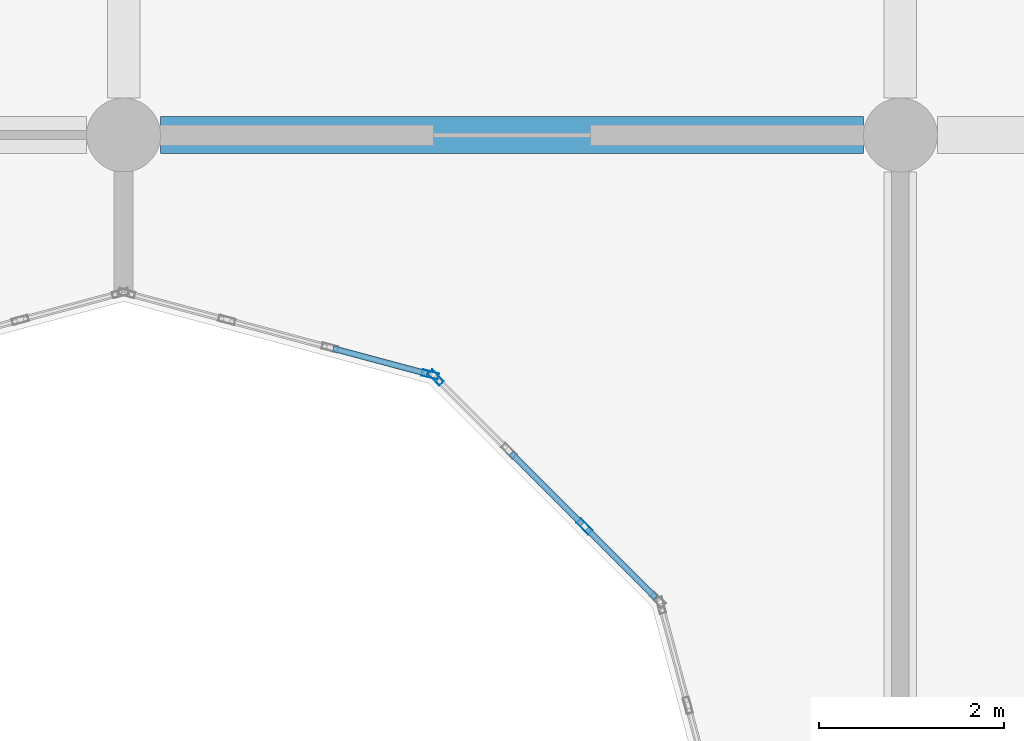
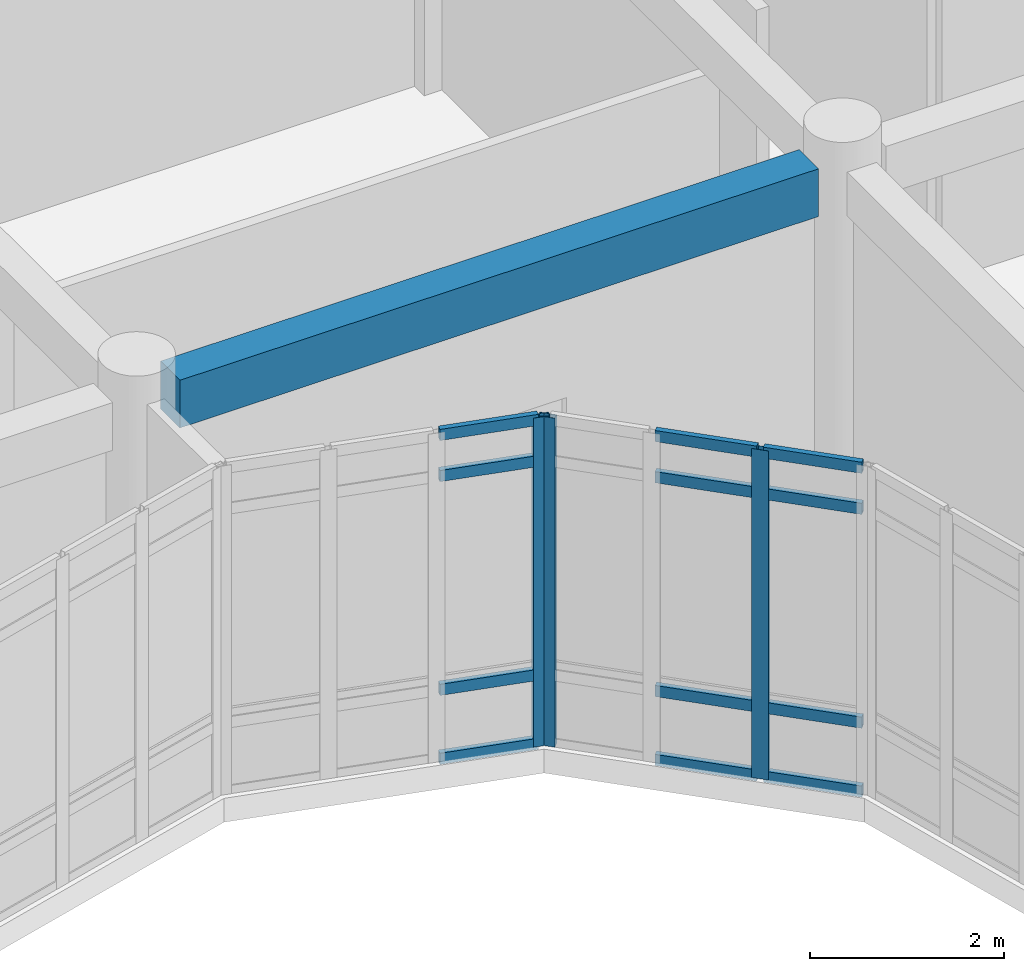
# One storey, part 37 of 144: 15 members, 1 beam, 2 elements without a shape of their own.
"""IFC4 building model written with IfcOpenShell, lengths in metres."""

from ifc_helpers import new_model, si_unit, direction, frame, origin, origin_2d, place, context, subcontext, project, spatial, rectangle, hollow_rectangle, extrude, material, layer, layer_set, material_profile, profile_set, type_object, element, aggregate, save


model = new_model("IFC4")

# Units and contexts
model_context = context("Model", 3, precision=1e-05, world=origin(), true_north=direction((0.0, 1.0)))
body_context = subcontext(model_context, "Body", "Model", "MODEL_VIEW")
ifc_project = project(units=[si_unit("LENGTHUNIT", "METRE"), si_unit("AREAUNIT", "SQUARE_METRE"), si_unit("VOLUMEUNIT", "CUBIC_METRE"), si_unit("PLANEANGLEUNIT", "RADIAN"), si_unit("MASSUNIT", "GRAM", prefix="KILO")], contexts=[model_context])

# Site, building, storey
site_placement = place(None, origin())
site = spatial("IfcSite", under=ifc_project, at=site_placement, CompositionType="ELEMENT")
building_placement = place(site_placement, origin())
building = spatial("IfcBuilding", under=site, at=building_placement, Name="Bramfleet General Hospital", CompositionType="ELEMENT")
storey_placement = place(building_placement, frame((0.0, 0.0, 4.800048828125)))
storey = spatial("IfcBuildingStorey", under=building, at=storey_placement, Name="L01", CompositionType="ELEMENT", Elevation=4.800048828125)

# Beam
ifc_material_1 = material(Name="Concrete C35/45", Category="concrete")
ifc_material_profile_1 = material_profile(ifc_material_1, rectangle(XDim=0.39990234375, YDim=0.60009765625, at=origin_2d()), Name="RC BM 600x400")
ifc_profile_set_1 = profile_set([ifc_material_profile_1], Name="Concrete C35/45")
beam_type = type_object("IfcBeamType", Name="BM-RC600", PredefinedType="BEAM", material=ifc_profile_set_1)
beam_placement = place(storey_placement, frame((25.60009765625, 92.39990234375, 3.849853515625), z_axis=(1.0, 0.0, 0.0), x_axis=(0.0, 1.0, 0.0)))
element("IfcBeam", 1, at=beam_placement, inside=storey, type_object=beam_type, Name="L01 Grid Beam X 03-11", PredefinedType="BEAM", context=body_context, shape_type="SweptSolid", body=[
    extrude(rectangle(XDim=0.39990234375, YDim=0.60009765625, at=origin_2d()), origin(), (0.0, 0.0, 1.0), 7.599853515625),
])

# Curtain wall, members
ifc_material_2 = material(Name="Anodised aluminium and low-E triple glazing", Category="aluminium")
ifc_layer_1 = layer(ifc_material_2, 0.179931640625, Name="CWT-CW-16")
ifc_layer_set_1 = layer_set([ifc_layer_1], Name="Anodised aluminium and low-E triple glazing")
curtain_wall_type_1 = type_object("IfcCurtainWallType", Name="CWT-CW-16", PredefinedType="USERDEFINED", material=ifc_layer_set_1)
curtain_wall_1_placement = place(storey_placement, origin())
curtain_wall_1 = element("IfcCurtainWall", 2, at=curtain_wall_1_placement, inside=storey, type_object=curtain_wall_type_1, Name="L01 West Clinical Light Court Curtain Wall 8.1", ObjectType="Stick curtain wall", PredefinedType="USERDEFINED")
ifc_material_3 = material(Name="Anodised aluminium EN AW-6060", Category="aluminium")
ifc_material_profile_2 = material_profile(ifc_material_3, hollow_rectangle(XDim=0.070068359375, YDim=0.179931640625, WallThickness=0.00390625, at=origin_2d()), Name="ALU 180x70x4.0")
ifc_profile_set_2 = profile_set([ifc_material_profile_2], Name="Anodised aluminium EN AW-6060")
member_type_1 = type_object("IfcMemberType", Name="CWM-ALU180", PredefinedType="MULLION", material=ifc_profile_set_2)
member_1_placement = place(storey_placement, frame((30.1845703125, 88.167236328125, 0.0), z_axis=(0.0, 0.0, 1.0), x_axis=(-0.707106781187, -0.707106781187, 0.0)))
member_1 = element("IfcMember", 3, at=member_1_placement, type_object=member_type_1, Name="CW-16 mullion 2", PredefinedType="MULLION", context=body_context, shape_type="SweptSolid", body=[
    extrude(hollow_rectangle(XDim=0.070068359375, YDim=0.179931640625, WallThickness=0.00390625, at=origin_2d()), origin(), (0.0, 0.0, 1.0), 4.139892578125),
])
member_2_placement = place(storey_placement, frame((28.57470703125, 89.77734375, 0.0), z_axis=(0.0, 0.0, 1.0), x_axis=(-0.707106781187, -0.707106781187, 0.0)))
member_2 = element("IfcMember", 4, at=member_2_placement, type_object=member_type_1, Name="CW-16 mullion 4", PredefinedType="MULLION", context=body_context, shape_type="SweptSolid", body=[
    extrude(hollow_rectangle(XDim=0.070068359375, YDim=0.179931640625, WallThickness=0.00390625, at=origin_2d()), origin(), (0.0, 0.0, 1.0), 4.139892578125),
])

# Curtain wall, member
ifc_layer_2 = layer(ifc_material_2, 0.179931640625, Name="CWT-CW-17")
ifc_layer_set_2 = layer_set([ifc_layer_2], Name="Anodised aluminium and low-E triple glazing")
curtain_wall_type_2 = type_object("IfcCurtainWallType", Name="CWT-CW-17", PredefinedType="USERDEFINED", material=ifc_layer_set_2)
curtain_wall_2_placement = place(storey_placement, origin())
curtain_wall_2 = element("IfcCurtainWall", 5, at=curtain_wall_2_placement, inside=storey, type_object=curtain_wall_type_2, Name="L01 West Clinical Light Court Curtain Wall 9.1", ObjectType="Stick curtain wall", PredefinedType="USERDEFINED")
member_3_placement = place(storey_placement, frame((28.51611328125, 89.81103515625, 0.0), z_axis=(0.0, 0.0, 1.0), x_axis=(-0.25891863407, -0.965899136003, 0.0)))
member_3 = element("IfcMember", 6, at=member_3_placement, type_object=member_type_1, Name="CW-17 mullion 1", PredefinedType="MULLION", context=body_context, shape_type="SweptSolid", body=[
    extrude(hollow_rectangle(XDim=0.070068359375, YDim=0.179931640625, WallThickness=0.00390625, at=origin_2d()), origin(), (0.0, 0.0, 1.0), 4.139892578125),
])

# Member
ifc_material_profile_3 = material_profile(ifc_material_3, hollow_rectangle(XDim=0.06494140625, YDim=0.139892578125, WallThickness=0.00390625, at=origin_2d()), Name="ALU 140x65x4.0")
ifc_profile_set_3 = profile_set([ifc_material_profile_3], Name="Anodised aluminium EN AW-6060")
member_type_2 = type_object("IfcMemberType", Name="CWT-ALU140", PredefinedType="USERDEFINED", material=ifc_profile_set_3)
member_4_placement = place(storey_placement, frame((30.952392578125, 87.3994140625, 0.032470703125), z_axis=(-0.706990604933, 0.707222938356, 0.0), x_axis=(-0.707222938356, -0.706990604933, 0.0)))
member_4 = element("IfcMember", 7, at=member_4_placement, type_object=member_type_2, Name="CW-16 transom 1.1", ObjectType="TRANSOM", PredefinedType="USERDEFINED", context=body_context, shape_type="SweptSolid", body=[
    extrude(hollow_rectangle(XDim=0.06494140625, YDim=0.139892578125, WallThickness=0.00390625, at=origin_2d()), origin(), (0.0, 0.0, 1.0), 1.05078125),
])

member_5_placement = place(storey_placement, frame((30.952392578125, 87.3994140625, 0.89990234375), z_axis=(-0.706990604933, 0.707222938356, 0.0), x_axis=(-0.707222938356, -0.706990604933, 0.0)))
member_5 = element("IfcMember", 8, at=member_5_placement, type_object=member_type_2, Name="CW-16 transom 1.2", ObjectType="TRANSOM", PredefinedType="USERDEFINED", context=body_context, shape_type="SweptSolid", body=[
    extrude(hollow_rectangle(XDim=0.06494140625, YDim=0.139892578125, WallThickness=0.00390625, at=origin_2d()), origin(), (0.0, 0.0, 1.0), 1.05078125),
])

member_6_placement = place(storey_placement, frame((30.952392578125, 87.3994140625, 3.58984375), z_axis=(-0.706990604933, 0.707222938356, 0.0), x_axis=(-0.707222938356, -0.706990604933, 0.0)))
member_6 = element("IfcMember", 9, at=member_6_placement, type_object=member_type_2, Name="CW-16 transom 1.3", ObjectType="TRANSOM", PredefinedType="USERDEFINED", context=body_context, shape_type="SweptSolid", body=[
    extrude(hollow_rectangle(XDim=0.06494140625, YDim=0.139892578125, WallThickness=0.00390625, at=origin_2d()), origin(), (0.0, 0.0, 1.0), 1.05078125),
])

member_7_placement = place(storey_placement, frame((30.952392578125, 87.3994140625, 4.107421875), z_axis=(-0.706990604933, 0.707222938356, 0.0), x_axis=(-0.707222938356, -0.706990604933, 0.0)))
member_7 = element("IfcMember", 10, at=member_7_placement, type_object=member_type_2, Name="CW-16 transom 1.4", ObjectType="TRANSOM", PredefinedType="USERDEFINED", context=body_context, shape_type="SweptSolid", body=[
    extrude(hollow_rectangle(XDim=0.06494140625, YDim=0.139892578125, WallThickness=0.00390625, at=origin_2d()), origin(), (0.0, 0.0, 1.0), 1.05078125),
])

member_8_placement = place(storey_placement, frame((30.159912109375, 88.192138671875, 0.032470703125), z_axis=(-0.707106781187, 0.707106781187, 0.0), x_axis=(-0.707106781187, -0.707106781187, 0.0)))
member_8 = element("IfcMember", 11, at=member_8_placement, type_object=member_type_2, Name="CW-16 transom 2.1", ObjectType="TRANSOM", PredefinedType="USERDEFINED", context=body_context, shape_type="SweptSolid", body=[
    extrude(hollow_rectangle(XDim=0.06494140625, YDim=0.139892578125, WallThickness=0.00390625, at=origin_2d()), origin(), (0.0, 0.0, 1.0), 1.0859375),
])

member_9_placement = place(storey_placement, frame((30.159912109375, 88.192138671875, 0.89990234375), z_axis=(-0.707106781187, 0.707106781187, 0.0), x_axis=(-0.707106781187, -0.707106781187, 0.0)))
member_9 = element("IfcMember", 12, at=member_9_placement, type_object=member_type_2, Name="CW-16 transom 2.2", ObjectType="TRANSOM", PredefinedType="USERDEFINED", context=body_context, shape_type="SweptSolid", body=[
    extrude(hollow_rectangle(XDim=0.06494140625, YDim=0.139892578125, WallThickness=0.00390625, at=origin_2d()), origin(), (0.0, 0.0, 1.0), 1.0859375),
])

member_10_placement = place(storey_placement, frame((30.159912109375, 88.192138671875, 3.58984375), z_axis=(-0.707106781187, 0.707106781187, 0.0), x_axis=(-0.707106781187, -0.707106781187, 0.0)))
member_10 = element("IfcMember", 13, at=member_10_placement, type_object=member_type_2, Name="CW-16 transom 2.3", ObjectType="TRANSOM", PredefinedType="USERDEFINED", context=body_context, shape_type="SweptSolid", body=[
    extrude(hollow_rectangle(XDim=0.06494140625, YDim=0.139892578125, WallThickness=0.00390625, at=origin_2d()), origin(), (0.0, 0.0, 1.0), 1.0859375),
])

member_11_placement = place(storey_placement, frame((30.159912109375, 88.192138671875, 4.107421875), z_axis=(-0.707106781187, 0.707106781187, 0.0), x_axis=(-0.707106781187, -0.707106781187, 0.0)))
member_11 = element("IfcMember", 14, at=member_11_placement, type_object=member_type_2, Name="CW-16 transom 2.4", ObjectType="TRANSOM", PredefinedType="USERDEFINED", context=body_context, shape_type="SweptSolid", body=[
    extrude(hollow_rectangle(XDim=0.06494140625, YDim=0.139892578125, WallThickness=0.00390625, at=origin_2d()), origin(), (0.0, 0.0, 1.0), 1.0859375),
])

aggregate(curtain_wall_1, [member_1, member_2, member_4, member_5, member_6, member_7, member_8, member_9, member_10, member_11])

member_12_placement = place(storey_placement, frame((28.482421875, 89.820068359375, 0.032470703125), z_axis=(-0.965891021523, 0.258948903342, 0.0), x_axis=(-0.258948903342, -0.965891021523, 0.0)))
member_12 = element("IfcMember", 15, at=member_12_placement, type_object=member_type_2, Name="CW-17 transom 1.1", ObjectType="TRANSOM", PredefinedType="USERDEFINED", context=body_context, shape_type="SweptSolid", body=[
    extrude(hollow_rectangle(XDim=0.06494140625, YDim=0.139892578125, WallThickness=0.00390625, at=origin_2d()), origin(), (0.0, 0.0, 1.0), 1.05126953125),
])

member_13_placement = place(storey_placement, frame((28.482421875, 89.820068359375, 0.89990234375), z_axis=(-0.965891021523, 0.258948903342, 0.0), x_axis=(-0.258948903342, -0.965891021523, 0.0)))
member_13 = element("IfcMember", 16, at=member_13_placement, type_object=member_type_2, Name="CW-17 transom 1.2", ObjectType="TRANSOM", PredefinedType="USERDEFINED", context=body_context, shape_type="SweptSolid", body=[
    extrude(hollow_rectangle(XDim=0.06494140625, YDim=0.139892578125, WallThickness=0.00390625, at=origin_2d()), origin(), (0.0, 0.0, 1.0), 1.05126953125),
])

member_14_placement = place(storey_placement, frame((28.482421875, 89.820068359375, 3.58984375), z_axis=(-0.965891021523, 0.258948903342, 0.0), x_axis=(-0.258948903342, -0.965891021523, 0.0)))
member_14 = element("IfcMember", 17, at=member_14_placement, type_object=member_type_2, Name="CW-17 transom 1.3", ObjectType="TRANSOM", PredefinedType="USERDEFINED", context=body_context, shape_type="SweptSolid", body=[
    extrude(hollow_rectangle(XDim=0.06494140625, YDim=0.139892578125, WallThickness=0.00390625, at=origin_2d()), origin(), (0.0, 0.0, 1.0), 1.05126953125),
])

member_15_placement = place(storey_placement, frame((28.482421875, 89.820068359375, 4.107421875), z_axis=(-0.965891021523, 0.258948903342, 0.0), x_axis=(-0.258948903342, -0.965891021523, 0.0)))
member_15 = element("IfcMember", 18, at=member_15_placement, type_object=member_type_2, Name="CW-17 transom 1.4", ObjectType="TRANSOM", PredefinedType="USERDEFINED", context=body_context, shape_type="SweptSolid", body=[
    extrude(hollow_rectangle(XDim=0.06494140625, YDim=0.139892578125, WallThickness=0.00390625, at=origin_2d()), origin(), (0.0, 0.0, 1.0), 1.05126953125),
])

aggregate(curtain_wall_2, [member_3, member_12, member_13, member_14, member_15])

save(model, "model.ifc")
